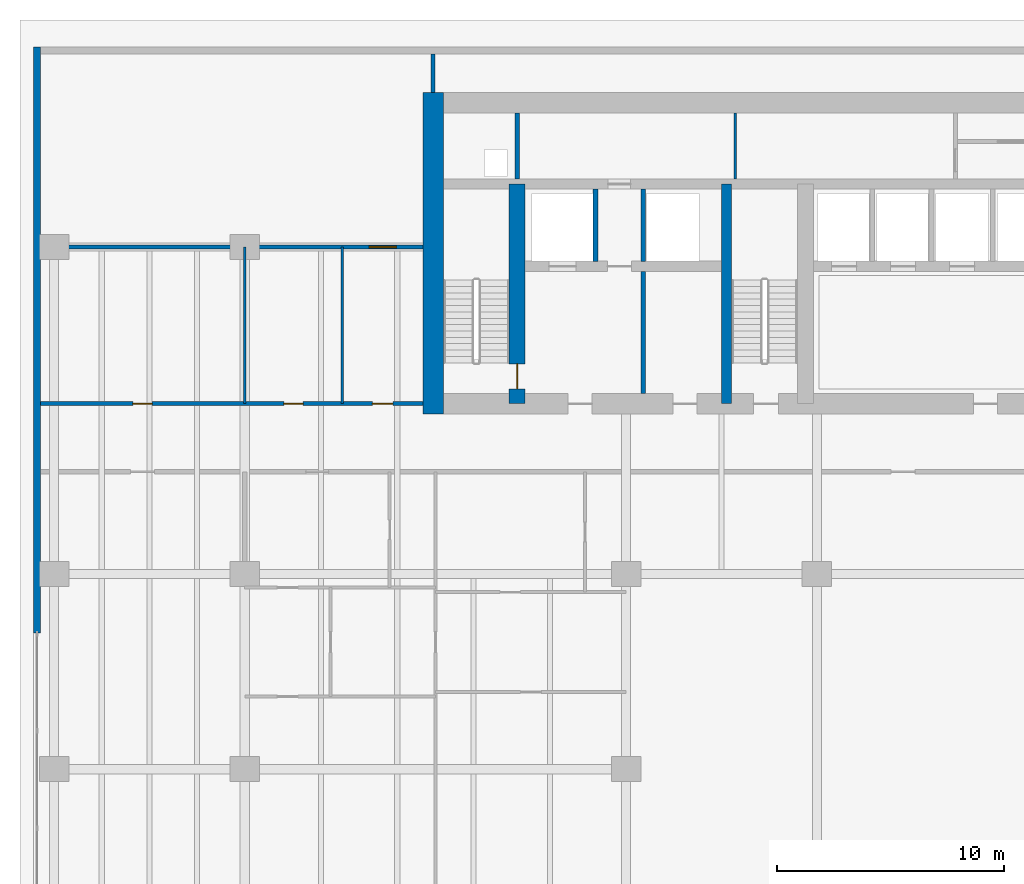
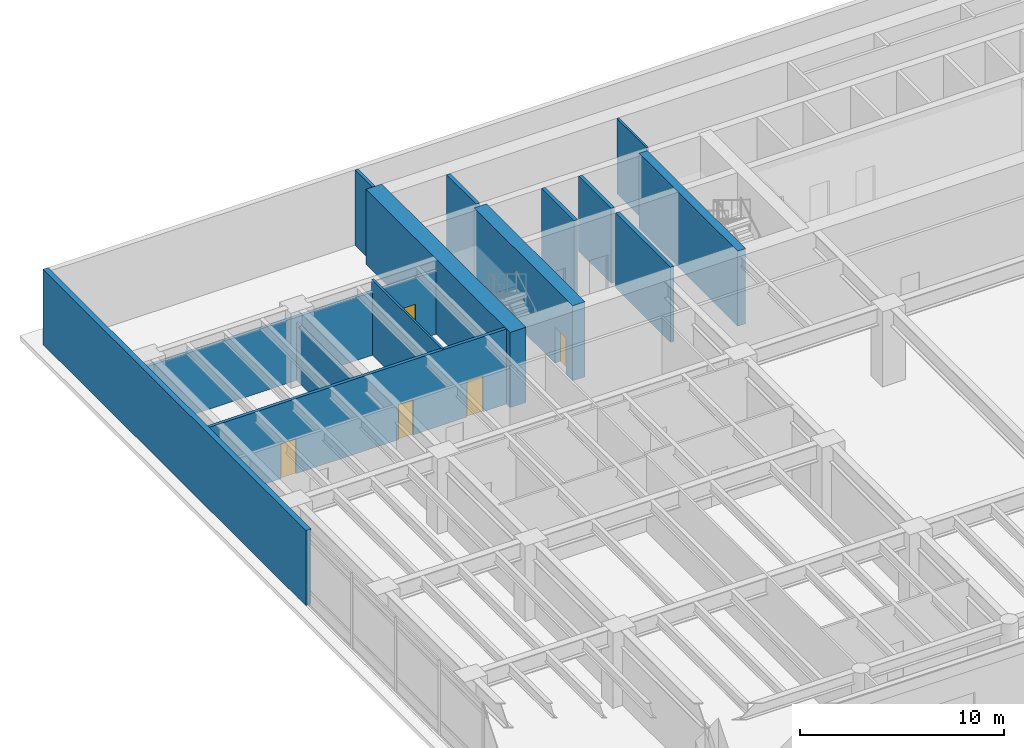
# One storey, part 9 of 17: 14 walls, 5 doors, 5 openings.
"""IFC4 building model written with IfcOpenShell, lengths in metres."""

from ifc_helpers import new_model, si_unit, direction, frame, frame_2d, origin, place, context, subcontext, project, spatial, rectangle, extrude, material, layer, layer_set, type_object, element, fill, save


model = new_model("IFC4")

# Units and contexts
model_context = context("Model", 3, precision=1e-05, world=origin(), true_north=direction((0.0, 1.0)))
body_context = subcontext(model_context, "Body", "Model", "MODEL_VIEW")
ifc_project = project(units=[si_unit("LENGTHUNIT", "METRE"), si_unit("AREAUNIT", "SQUARE_METRE"), si_unit("VOLUMEUNIT", "CUBIC_METRE"), si_unit("PLANEANGLEUNIT", "RADIAN"), si_unit("MASSUNIT", "GRAM", prefix="KILO")], contexts=[model_context])

# Site, building, storey
site_placement = place(None, origin())
site = spatial("IfcSite", under=ifc_project, at=site_placement, CompositionType="ELEMENT")
building_placement = place(site_placement, origin())
building = spatial("IfcBuilding", under=site, at=building_placement, Name="Caelmar Bay Residences", CompositionType="ELEMENT")
storey_placement = place(building_placement, frame((0.0, 0.0, 10.199951171875)))
storey = spatial("IfcBuildingStorey", under=building, at=storey_placement, Name="L02", CompositionType="ELEMENT", Elevation=10.199951171875)

# Wall, opening, door
ifc_material_1 = material(Name="Concrete f'c 55 MPa (8,000 psi)", Category="concrete")
ifc_layer_1 = layer(ifc_material_1, 0.699951171875)
ifc_layer_set_1 = layer_set([ifc_layer_1], Name="Concrete f'c 55 MPa (8,000 psi)")
wall_type_1 = type_object("IfcWallType", Name="SW-COR-700", PredefinedType="SHEAR", material=ifc_layer_set_1)
wall_1_placement = place(storey_placement, frame((21.89990234375, 36.89990234375, 0.0), z_axis=(0.0, 0.0, 1.0), x_axis=(0.0, 1.0, 0.0)))
wall_1 = element("IfcWall", 1, at=wall_1_placement, inside=storey, type_object=wall_type_1, Name="L02 Core Structural Web Wall ST1E", PredefinedType="SHEAR", context=body_context, shape_type="SweptSolid", body=[
    extrude(rectangle(XDim=9.675048828125, YDim=0.699951171875, at=frame_2d((4.83740234375, 0.0))), origin(), (0.0, 0.0, 1.0), 4.5),
])
opening_1_placement = place(wall_1_placement, frame((0.64990234375, 0.0, 0.0)))
opening_1 = element("IfcOpeningElement", 2, at=opening_1_placement, cuts=wall_1, Name="Opening D-L02-108", PredefinedType="OPENING", context=body_context, shape_type="SweptSolid", body=[
    extrude(rectangle(XDim=1.10009765625, YDim=2.14990234375, at=frame_2d((0.550048828125, 1.074951171875))), frame((0.0, 0.35986328125, 0.0), z_axis=(0.0, -1.0, 0.0), x_axis=(1.0, 0.0, 0.0)), (0.0, 0.0, 1.0), 0.719970703125),
])
ifc_material_2 = material(Name="Fire-rated steel and walnut architectural door assembly", Category="steel")
ifc_layer_2 = layer(ifc_material_2, 0.050048828125)
ifc_layer_set_2 = layer_set([ifc_layer_2], Name="Fire-rated steel and walnut architectural door assembly")
door_type_1 = type_object("IfcDoorType", Name="D-STAIR-1100", OperationType="NOTDEFINED", PredefinedType="DOOR", material=ifc_layer_set_2)
door_1_placement = place(opening_1_placement, origin())
door_1 = element("IfcDoor", 3, at=door_1_placement, inside=storey, type_object=door_type_1, Name="L02 Firefighting Lobby West Door", OperationType="SINGLE_SWING_RIGHT", OverallHeight=2.14990234375, OverallWidth=1.10009765625, PredefinedType="DOOR", context=body_context, shape_type="SweptSolid", body=[
    extrude(rectangle(XDim=1.10009765625, YDim=2.14990234375, at=frame_2d((0.550048828125, 1.074951171875))), frame((0.0, 0.02490234375, 0.0), z_axis=(0.0, -1.0, 0.0), x_axis=(1.0, 0.0, 0.0)), (0.0, 0.0, 1.0), 0.050048828125),
])
fill(opening_1, door_1)

# Walls
ifc_material_3 = material(Name="Concrete f'c 70 MPa (10,000 psi)", Category="concrete")
ifc_layer_3 = layer(ifc_material_3, 0.89990234375)
ifc_layer_set_3 = layer_set([ifc_layer_3], Name="Concrete f'c 70 MPa (10,000 psi)")
wall_type_2 = type_object("IfcWallType", Name="SW-COR-900", PredefinedType="SHEAR", material=ifc_layer_set_3)
wall_2_placement = place(storey_placement, frame((18.199951171875, 36.449951171875, 0.0), z_axis=(0.0, 0.0, 1.0), x_axis=(0.0, 1.0, 0.0)))
element("IfcWall", 4, at=wall_2_placement, inside=storey, type_object=wall_type_2, Name="L02 Rear Core West Shear Wall", PredefinedType="SHEAR", context=body_context, shape_type="SweptSolid", body=[
    extrude(rectangle(XDim=14.150146484375, YDim=0.89990234375, at=frame_2d((7.0751953125, 0.0))), origin(), (0.0, 0.0, 1.0), 4.5),
])
ifc_layer_4 = layer(ifc_material_3, 0.449951171875)
ifc_layer_set_4 = layer_set([ifc_layer_4], Name="Concrete f'c 70 MPa (10,000 psi)")
wall_type_3 = type_object("IfcWallType", Name="SW-WEB-450", PredefinedType="SHEAR", material=ifc_layer_set_4)
wall_3_placement = place(storey_placement, frame((31.125, 36.89990234375, 0.0), z_axis=(0.0, 0.0, 1.0), x_axis=(0.0, 1.0, 0.0)))
element("IfcWall", 5, at=wall_3_placement, inside=storey, type_object=wall_type_3, Name="L02 Core Structural Web Wall ST3W", PredefinedType="SHEAR", context=body_context, shape_type="SweptSolid", body=[
    extrude(rectangle(XDim=9.675048828125, YDim=0.449951171875, at=frame_2d((4.83740234375, 0.0))), origin(), (0.0, 0.0, 1.0), 4.5),
])
ifc_material_4 = material(Name="Double-stud acoustic fire-rated gypsum partition 180 mm")
ifc_layer_5 = layer(ifc_material_4, 0.179931640625)
ifc_layer_set_5 = layer_set([ifc_layer_5], Name="Double-stud acoustic fire-rated gypsum partition 180 mm")
wall_type_4 = type_object("IfcWallType", Name="W-COR-200", PredefinedType="PARTITIONING", material=ifc_layer_set_5)
wall_4_placement = place(storey_placement, frame((18.199951171875, 50.60498046875, 0.0), z_axis=(0.0, 0.0, 1.0), x_axis=(0.0, 1.0, 0.0)))
element("IfcWall", 6, at=wall_4_placement, inside=storey, type_object=wall_type_4, Name="L02 Partition Wall V006", PredefinedType="PARTITIONING", context=body_context, shape_type="SweptSolid", body=[
    extrude(rectangle(XDim=1.699951171875, YDim=0.179931640625, at=frame_2d((0.85009765625, 0.0))), origin(), (0.0, 0.0, 1.0), 4.5),
])

# Wall, openings, doors
wall_5_placement = place(storey_placement, frame((0.89501953125, 36.89990234375, 0.0), z_axis=(0.0, 0.0, 1.0), x_axis=(1.0, 0.0, 0.0)))
wall_5 = element("IfcWall", 7, at=wall_5_placement, inside=storey, type_object=wall_type_4, Name="L02 Partition Wall H045", PredefinedType="PARTITIONING", context=body_context, shape_type="SweptSolid", body=[
    extrude(rectangle(XDim=16.85009765625, YDim=0.179931640625, at=frame_2d((8.425048828125, 0.0))), origin(), (0.0, 0.0, 1.0), 4.5),
])
opening_2_placement = place(wall_5_placement, frame((4.077392578125, 0.0, 0.0)))
opening_2 = element("IfcOpeningElement", 8, at=opening_2_placement, cuts=wall_5, Name="Opening D-L02-144", PredefinedType="OPENING", context=body_context, shape_type="SweptSolid", body=[
    extrude(rectangle(XDim=0.85009765625, YDim=2.10009765625, at=frame_2d((0.425048828125, 1.050048828125))), frame((0.0, 0.099853515625, 0.0), z_axis=(0.0, -1.0, 0.0), x_axis=(1.0, 0.0, 0.0)), (0.0, 0.0, 1.0), 0.199951171875),
])
opening_3_placement = place(wall_5_placement, frame((10.72998046875, 0.0, 0.0)))
opening_3 = element("IfcOpeningElement", 9, at=opening_3_placement, cuts=wall_5, Name="Opening D-L02-145", PredefinedType="OPENING", context=body_context, shape_type="SweptSolid", body=[
    extrude(rectangle(XDim=0.85009765625, YDim=2.10009765625, at=frame_2d((0.425048828125, 1.050048828125))), frame((0.0, 0.099853515625, 0.0), z_axis=(0.0, -1.0, 0.0), x_axis=(1.0, 0.0, 0.0)), (0.0, 0.0, 1.0), 0.199951171875),
])
opening_4_placement = place(wall_5_placement, frame((14.62744140625, 0.0, 0.0)))
opening_4 = element("IfcOpeningElement", 10, at=opening_4_placement, cuts=wall_5, Name="Opening D-L02-146", PredefinedType="OPENING", context=body_context, shape_type="SweptSolid", body=[
    extrude(rectangle(XDim=0.89990234375, YDim=2.14990234375, at=frame_2d((0.449951171875, 1.074951171875))), frame((0.0, 0.099853515625, 0.0), z_axis=(0.0, -1.0, 0.0), x_axis=(1.0, 0.0, 0.0)), (0.0, 0.0, 1.0), 0.199951171875),
])
ifc_material_5 = material(Name="Solid walnut timber interior door leaf and frame", Category="wood")
ifc_layer_6 = layer(ifc_material_5, 0.050048828125)
ifc_layer_set_6 = layer_set([ifc_layer_6], Name="Solid walnut timber interior door leaf and frame")
door_type_2 = type_object("IfcDoorType", Name="D-BATH-850", OperationType="NOTDEFINED", PredefinedType="DOOR", material=ifc_layer_set_6)
door_2_placement = place(opening_2_placement, origin())
door_2 = element("IfcDoor", 11, at=door_2_placement, inside=storey, type_object=door_type_2, Name="L02 Podium L02 Public Restroom Door", OperationType="SINGLE_SWING_RIGHT", OverallHeight=2.10009765625, OverallWidth=0.85009765625, PredefinedType="DOOR", context=body_context, shape_type="SweptSolid", body=[
    extrude(rectangle(XDim=0.85009765625, YDim=2.10009765625, at=frame_2d((0.425048828125, 1.050048828125))), frame((0.0, 0.02490234375, 0.0), z_axis=(0.0, -1.0, 0.0), x_axis=(1.0, 0.0, 0.0)), (0.0, 0.0, 1.0), 0.050048828125),
])
fill(opening_2, door_2)
door_3_placement = place(opening_3_placement, origin())
door_3 = element("IfcDoor", 12, at=door_3_placement, inside=storey, type_object=door_type_2, Name="L02 Podium L02 Accessible WC Door", OperationType="SINGLE_SWING_LEFT", OverallHeight=2.10009765625, OverallWidth=0.85009765625, PredefinedType="DOOR", context=body_context, shape_type="SweptSolid", body=[
    extrude(rectangle(XDim=0.85009765625, YDim=2.10009765625, at=frame_2d((0.425048828125, 1.050048828125))), frame((0.0, 0.02490234375, 0.0), z_axis=(0.0, -1.0, 0.0), x_axis=(1.0, 0.0, 0.0)), (0.0, 0.0, 1.0), 0.050048828125),
])
fill(opening_3, door_3)
ifc_layer_7 = layer(ifc_material_5, 0.050048828125)
ifc_layer_set_7 = layer_set([ifc_layer_7], Name="Solid walnut timber interior door leaf and frame")
door_type_3 = type_object("IfcDoorType", Name="D-ROOM-900", OperationType="NOTDEFINED", PredefinedType="DOOR", material=ifc_layer_set_7)
door_4_placement = place(opening_4_placement, origin())
door_4 = element("IfcDoor", 13, at=door_4_placement, inside=storey, type_object=door_type_3, Name="L02 Podium L02 Linen Storage Door", OperationType="SINGLE_SWING_RIGHT", OverallHeight=2.14990234375, OverallWidth=0.89990234375, PredefinedType="DOOR", context=body_context, shape_type="SweptSolid", body=[
    extrude(rectangle(XDim=0.89990234375, YDim=2.14990234375, at=frame_2d((0.449951171875, 1.074951171875))), frame((0.0, 0.02490234375, 0.0), z_axis=(0.0, -1.0, 0.0), x_axis=(1.0, 0.0, 0.0)), (0.0, 0.0, 1.0), 0.050048828125),
])
fill(opening_4, door_4)

# Wall, opening, door
wall_6_placement = place(storey_placement, frame((0.89501953125, 43.800048828125, 0.0), z_axis=(0.0, 0.0, 1.0), x_axis=(1.0, 0.0, 0.0)))
wall_6 = element("IfcWall", 14, at=wall_6_placement, inside=storey, type_object=wall_type_4, Name="L02 Partition Wall H047", PredefinedType="PARTITIONING", context=body_context, shape_type="SweptSolid", body=[
    extrude(rectangle(XDim=16.85986328125, YDim=0.179931640625, at=frame_2d((8.429931640625, 0.0))), origin(), (0.0, 0.0, 1.0), 3.7890625),
])
opening_5_placement = place(wall_6_placement, frame((14.482421875, 0.0, 0.0)))
opening_5 = element("IfcOpeningElement", 15, at=opening_5_placement, cuts=wall_6, Name="Opening D-L02-148", PredefinedType="OPENING", context=body_context, shape_type="SweptSolid", body=[
    extrude(rectangle(XDim=1.199951171875, YDim=2.199951171875, at=frame_2d((0.60009765625, 1.10009765625))), frame((0.0, 0.099853515625, 0.0), z_axis=(0.0, -1.0, 0.0), x_axis=(1.0, 0.0, 0.0)), (0.0, 0.0, 1.0), 0.199951171875),
])
ifc_layer_8 = layer(ifc_material_2, 0.050048828125)
ifc_layer_set_8 = layer_set([ifc_layer_8], Name="Fire-rated steel and walnut architectural door assembly")
door_type_4 = type_object("IfcDoorType", Name="D-PLANT-1200", OperationType="NOTDEFINED", PredefinedType="DOOR", material=ifc_layer_set_8)
door_5_placement = place(opening_5_placement, origin())
door_5 = element("IfcDoor", 16, at=door_5_placement, inside=storey, type_object=door_type_4, Name="L02 Podium L02 North Plant Room Door", OperationType="SINGLE_SWING_RIGHT", OverallHeight=2.199951171875, OverallWidth=1.199951171875, PredefinedType="DOOR", context=body_context, shape_type="SweptSolid", body=[
    extrude(rectangle(XDim=1.199951171875, YDim=2.199951171875, at=frame_2d((0.60009765625, 1.10009765625))), frame((0.0, 0.02490234375, 0.0), z_axis=(0.0, -1.0, 0.0), x_axis=(1.0, 0.0, 0.0)), (0.0, 0.0, 1.0), 0.050048828125),
])
fill(opening_5, door_5)

# Walls
ifc_material_6 = material(Name="Precast concrete f'c 40 MPa (6,000 psi)", Category="concrete")
ifc_layer_9 = layer(ifc_material_6, 0.300048828125)
ifc_layer_set_9 = layer_set([ifc_layer_9], Name="Precast concrete f'c 40 MPa (6,000 psi)")
wall_type_5 = type_object("IfcWallType", Name="W-EXT-300", PredefinedType="STANDARD", material=ifc_layer_set_9)
wall_7_placement = place(storey_placement, frame((0.75, 26.800048828125, 0.0), z_axis=(0.0, 0.0, 1.0), x_axis=(0.0, 1.0, 0.0)))
element("IfcWall", 17, at=wall_7_placement, inside=storey, type_object=wall_type_5, Name="L02 West Rear Exterior Wall", PredefinedType="STANDARD", context=body_context, shape_type="SweptSolid", body=[
    extrude(rectangle(XDim=25.800048828125, YDim=0.300048828125, at=frame_2d((12.89990234375, 0.0))), origin(), (0.0, 0.0, 1.0), 4.5),
])
ifc_material_7 = material(Name="Fire-rated masonry and gypsum shaftliner assembly 200 mm", Category="masonry")
ifc_layer_10 = layer(ifc_material_7, 0.199951171875)
ifc_layer_set_10 = layer_set([ifc_layer_10], Name="Fire-rated masonry and gypsum shaftliner assembly 200 mm")
wall_type_6 = type_object("IfcWallType", Name="W-FSAE-200", PredefinedType="PARTITIONING", material=ifc_layer_set_10)
wall_8_placement = place(storey_placement, frame((21.89990234375, 46.794921875, 0.0), z_axis=(0.0, 0.0, 1.0), x_axis=(0.0, 1.0, 0.0)))
element("IfcWall", 18, at=wall_8_placement, inside=storey, type_object=wall_type_6, Name="L02 Partition Wall V008", PredefinedType="PARTITIONING", context=body_context, shape_type="SweptSolid", body=[
    extrude(rectangle(XDim=2.91015625, YDim=0.199951171875, at=frame_2d((1.455078125, 0.0))), origin(), (0.0, 0.0, 1.0), 4.5),
])
wall_9_placement = place(storey_placement, frame((25.35009765625, 43.169921875, 0.0), z_axis=(0.0, 0.0, 1.0), x_axis=(0.0, 1.0, 0.0)))
element("IfcWall", 19, at=wall_9_placement, inside=storey, type_object=wall_type_6, Name="L02 Partition Wall V010", PredefinedType="PARTITIONING", context=body_context, shape_type="SweptSolid", body=[
    extrude(rectangle(XDim=3.18505859375, YDim=0.199951171875, at=frame_2d((1.592529296875, 0.0))), origin(), (0.0, 0.0, 1.0), 4.5),
])
wall_10_placement = place(storey_placement, frame((27.449951171875, 37.344970703125, 0.0), z_axis=(0.0, 0.0, 1.0), x_axis=(0.0, 1.0, 0.0)))
element("IfcWall", 20, at=wall_10_placement, inside=storey, type_object=wall_type_6, Name="L02 Partition Wall V012", PredefinedType="PARTITIONING", context=body_context, shape_type="SweptSolid", body=[
    extrude(rectangle(XDim=5.385009765625, YDim=0.199951171875, at=frame_2d((2.6923828125, 0.0))), origin(), (0.0, 0.0, 1.0), 4.5),
])
wall_11_placement = place(storey_placement, frame((27.449951171875, 43.169921875, 0.0), z_axis=(0.0, 0.0, 1.0), x_axis=(0.0, 1.0, 0.0)))
element("IfcWall", 21, at=wall_11_placement, inside=storey, type_object=wall_type_6, Name="L02 Partition Wall V013", PredefinedType="PARTITIONING", context=body_context, shape_type="SweptSolid", body=[
    extrude(rectangle(XDim=3.18505859375, YDim=0.199951171875, at=frame_2d((1.592529296875, 0.0))), origin(), (0.0, 0.0, 1.0), 4.5),
])
ifc_material_8 = material(Name="Acoustic metal-stud gypsum partition 120 mm")
ifc_layer_11 = layer(ifc_material_8, 0.1201171875)
ifc_layer_set_11 = layer_set([ifc_layer_11], Name="Acoustic metal-stud gypsum partition 120 mm")
wall_type_7 = type_object("IfcWallType", Name="W-PRT-120", PredefinedType="PARTITIONING", material=ifc_layer_set_11)
wall_12_placement = place(storey_placement, frame((9.89990234375, 36.89990234375, 0.0), z_axis=(0.0, 0.0, 1.0), x_axis=(0.0, 1.0, 0.0)))
element("IfcWall", 22, at=wall_12_placement, inside=storey, type_object=wall_type_7, Name="L02 Partition Wall V002", PredefinedType="PARTITIONING", context=body_context, shape_type="SweptSolid", body=[
    extrude(rectangle(XDim=6.900146484375, YDim=0.1201171875, at=frame_2d((3.4501953125, 0.0))), origin(), (0.0, 0.0, 1.0), 3.464111328125),
])
wall_13_placement = place(storey_placement, frame((14.199951171875, 36.89990234375, 0.0), z_axis=(0.0, 0.0, 1.0), x_axis=(0.0, 1.0, 0.0)))
element("IfcWall", 23, at=wall_13_placement, inside=storey, type_object=wall_type_7, Name="L02 Partition Wall V004", PredefinedType="PARTITIONING", context=body_context, shape_type="SweptSolid", body=[
    extrude(rectangle(XDim=6.900146484375, YDim=0.1201171875, at=frame_2d((3.4501953125, 0.0))), origin(), (0.0, 0.0, 1.0), 4.5),
])
wall_14_placement = place(storey_placement, frame((31.5, 46.794921875, 0.0), z_axis=(0.0, 0.0, 1.0), x_axis=(0.0, 1.0, 0.0)))
element("IfcWall", 24, at=wall_14_placement, inside=storey, type_object=wall_type_7, Name="L02 Partition Wall V014", PredefinedType="PARTITIONING", context=body_context, shape_type="SweptSolid", body=[
    extrude(rectangle(XDim=2.91015625, YDim=0.1201171875, at=frame_2d((1.455078125, 0.0))), origin(), (0.0, 0.0, 1.0), 4.5),
])

save(model, "model.ifc")
